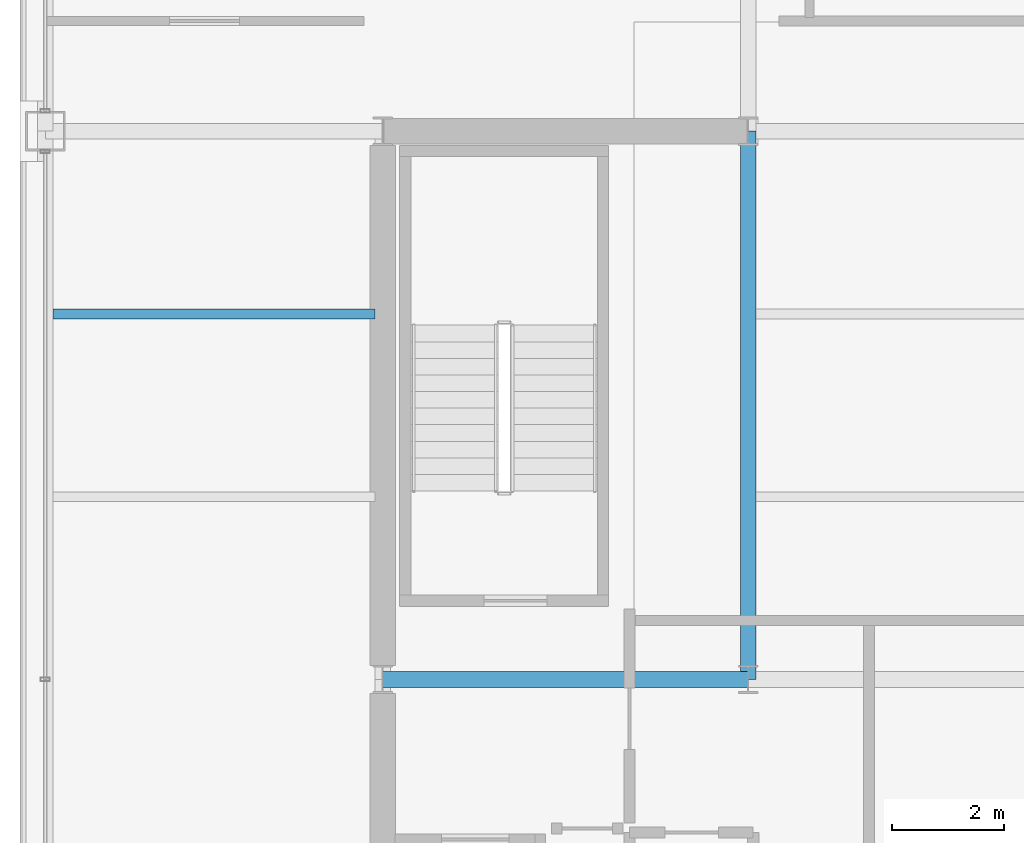
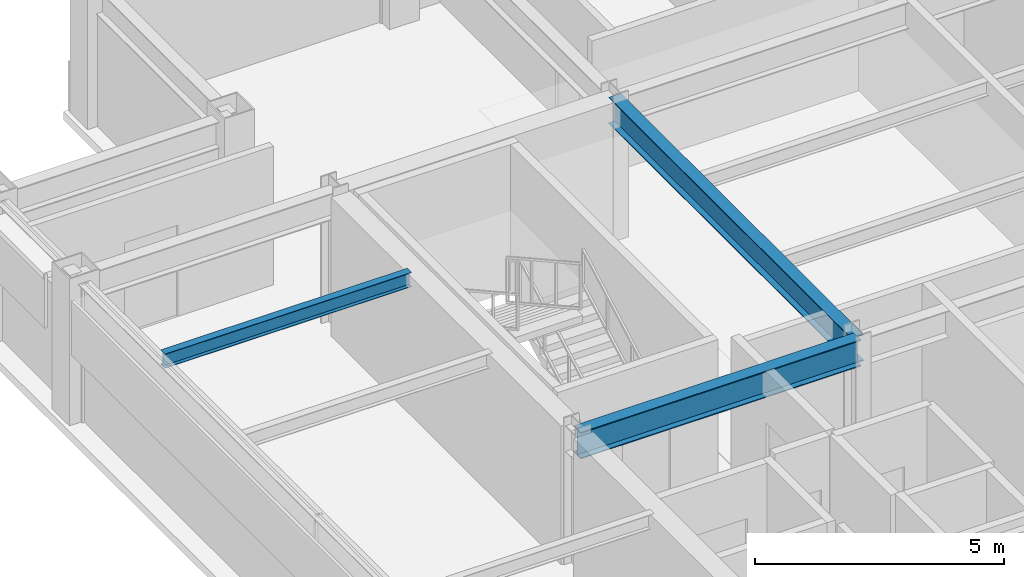
# One storey, part 9 of 30: 3 beams.
"""IFC4 building model written with IfcOpenShell, lengths in metres."""

from ifc_helpers import new_model, si_unit, direction, frame, origin, origin_2d, place, context, subcontext, project, spatial, i_section, extrude, material, material_profile, profile_set, type_object, element, save


model = new_model("IFC4")

# Units and contexts
model_context = context("Model", 3, precision=1e-05, world=origin(), true_north=direction((0.0, 1.0)))
body_context = subcontext(model_context, "Body", "Model", "MODEL_VIEW")
ifc_project = project(units=[si_unit("LENGTHUNIT", "METRE"), si_unit("AREAUNIT", "SQUARE_METRE"), si_unit("VOLUMEUNIT", "CUBIC_METRE"), si_unit("PLANEANGLEUNIT", "RADIAN"), si_unit("MASSUNIT", "GRAM", prefix="KILO")], contexts=[model_context])

# Site, building, storey
site_placement = place(None, origin())
site = spatial("IfcSite", under=ifc_project, at=site_placement, CompositionType="ELEMENT")
building_placement = place(site_placement, origin())
building = spatial("IfcBuilding", under=site, at=building_placement, Name="Brelmoor Portico Tower", CompositionType="ELEMENT")
storey_placement = place(building_placement, frame((0.0, 0.0, 198.300048828125)))
storey = spatial("IfcBuildingStorey", under=building, at=storey_placement, Name="L52", CompositionType="ELEMENT", Elevation=198.300048828125)

# Beams
ifc_material = material(Name="Steel Q355B", Category="steel")
ifc_material_profile_1 = material_profile(ifc_material, i_section(OverallWidth=0.175048828125, OverallDepth=0.35009765625, WebThickness=0.007080078125, FlangeThickness=0.010986328125, at=origin_2d()), Name="HN 350x175x7x11")
ifc_profile_set_1 = profile_set([ifc_material_profile_1], Name="Steel Q355B")
beam_type_1 = type_object("IfcBeamType", Name="BM-JS-350", PredefinedType="JOIST", material=ifc_profile_set_1)
beam_1_placement = place(storey_placement, frame((-20.409912109375, 6.5, 3.224853515625), z_axis=(1.0, 0.0, 0.0), x_axis=(0.0, 1.0, 0.0)))
element("IfcBeam", 1, at=beam_1_placement, inside=storey, type_object=beam_type_1, Name="L52 Secondary Wing Joist JS-W08", PredefinedType="JOIST", context=body_context, shape_type="SweptSolid", body=[
    extrude(i_section(OverallWidth=0.175048828125, OverallDepth=0.35009765625, WebThickness=0.007080078125, FlangeThickness=0.010986328125, at=origin_2d()), origin(), (0.0, 0.0, 1.0), 5.719970703125),
])
ifc_material_profile_2 = material_profile(ifc_material, i_section(OverallWidth=0.280029296875, OverallDepth=0.64990234375, WebThickness=0.012939453125, FlangeThickness=0.02197265625, at=origin_2d()), Name="HN 650x280x13x22")
ifc_profile_set_2 = profile_set([ifc_material_profile_2], Name="Steel Q355B")
beam_type_2 = type_object("IfcBeamType", Name="BM-PG-650", PredefinedType="BEAM", material=ifc_profile_set_2)
beam_2_placement = place(storey_placement, frame((-8.050048828125, 0.0, 3.074951171875), z_axis=(0.0, 1.0, 0.0), x_axis=(-1.0, 0.0, 0.0)))
element("IfcBeam", 2, at=beam_2_placement, inside=storey, type_object=beam_type_2, Name="L52 Primary Floor Girder PG-04", PredefinedType="BEAM", context=body_context, shape_type="SweptSolid", body=[
    extrude(i_section(OverallWidth=0.280029296875, OverallDepth=0.64990234375, WebThickness=0.012939453125, FlangeThickness=0.02197265625, at=origin_2d()), origin(), (0.0, 0.0, 1.0), 9.75),
])
beam_3_placement = place(storey_placement, frame((-14.550048828125, 0.0, 3.074951171875), z_axis=(1.0, 0.0, 0.0), x_axis=(0.0, 1.0, 0.0)))
element("IfcBeam", 3, at=beam_3_placement, inside=storey, type_object=beam_type_2, Name="L52 Primary Floor Girder PG-16", PredefinedType="BEAM", context=body_context, shape_type="SweptSolid", body=[
    extrude(i_section(OverallWidth=0.280029296875, OverallDepth=0.64990234375, WebThickness=0.012939453125, FlangeThickness=0.02197265625, at=origin_2d()), origin(), (0.0, 0.0, 1.0), 6.5),
])

save(model, "model.ifc")
